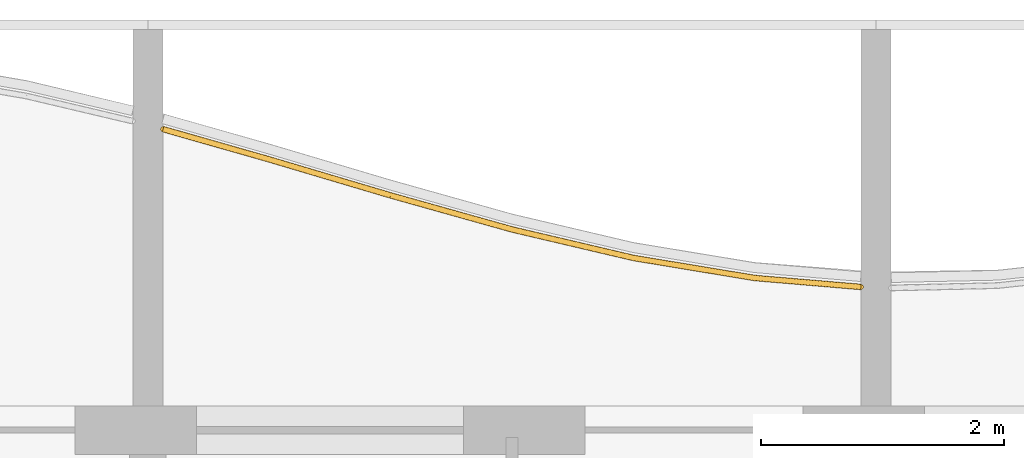
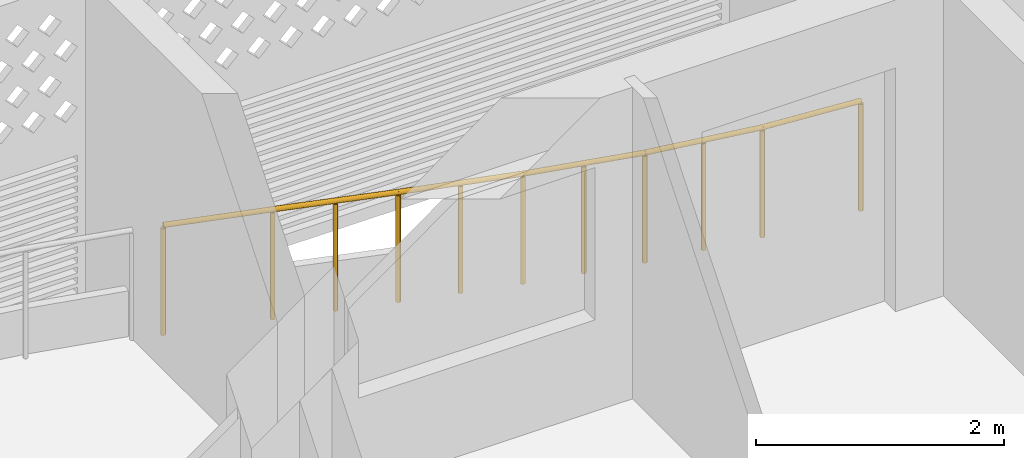
# One storey, part 19 of 32: 1 railing.
"""IFC4 building model written with IfcOpenShell, lengths in metres."""

from ifc_helpers import new_model, si_unit, direction, frame, origin, origin_2d, place, context, subcontext, project, spatial, circle, extrude, material, type_object, element, save


model = new_model("IFC4")

# Units and contexts
model_context = context("Model", 3, precision=1e-05, world=origin(), true_north=direction((0.0, 1.0)))
body_context = subcontext(model_context, "Body", "Model", "MODEL_VIEW")
ifc_project = project(units=[si_unit("LENGTHUNIT", "METRE"), si_unit("AREAUNIT", "SQUARE_METRE"), si_unit("VOLUMEUNIT", "CUBIC_METRE"), si_unit("PLANEANGLEUNIT", "RADIAN"), si_unit("MASSUNIT", "GRAM", prefix="KILO")], contexts=[model_context])

# Site, building, storey
site_placement = place(None, origin())
site = spatial("IfcSite", under=ifc_project, at=site_placement, CompositionType="ELEMENT")
building_placement = place(site_placement, origin())
building = spatial("IfcBuilding", under=site, at=building_placement, Name="Poui Terraces", CompositionType="ELEMENT")
storey_placement = place(building_placement, frame((0.0, 0.0, 125.699951171875)))
storey = spatial("IfcBuildingStorey", under=building, at=storey_placement, Name="L34", CompositionType="ELEMENT", Elevation=125.699951171875)

# Railing
ifc_material = material(Name="Painted steel fretwork", Category="steel")
railing_type = type_object("IfcRailingType", Name="BALCONY GUARD 1100", PredefinedType="GUARDRAIL", material=ifc_material)
railing_placement = place(storey_placement, frame((24.125, 44.88037109375, 0.0)))
element("IfcRailing", 1, at=railing_placement, inside=storey, type_object=railing_type, Name="BALCONY GUARD", PredefinedType="GUARDRAIL", context=body_context, shape_type="SweptSolid", body=[
    extrude(circle(Radius=0.02392578125, at=origin_2d()), frame((0.0, 0.0, 1.076171875), z_axis=(0.961736307653, -0.273976777376, 0.0), x_axis=(0.273976777376, 0.961736307653, 0.0)), (0.0, 0.0, 1.0), 0.909912109375),
    extrude(circle(Radius=0.02392578125, at=origin_2d()), frame((0.875, -0.249267578125, 1.076171875), z_axis=(0.958710700624, -0.284383179018, 0.0), x_axis=(0.284383179018, 0.958710700624, 0.0)), (0.0, 0.0, 1.0), 1.04296875),
    extrude(circle(Radius=0.02392578125, at=origin_2d()), frame((1.875, -0.5458984375, 1.076171875), z_axis=(0.962895626656, -0.269874067237, 0.0), x_axis=(0.269874067237, 0.962895626656, 0.0)), (0.0, 0.0, 1.0), 1.03857421875),
    extrude(circle(Radius=0.02392578125, at=origin_2d()), frame((2.875, -0.826171875, 1.076171875), z_axis=(0.973510598085, -0.228641893398, 0.0), x_axis=(0.228641893398, 0.973510598085, 0.0)), (0.0, 0.0, 1.0), 1.027099609375),
    extrude(circle(Radius=0.02392578125, at=origin_2d()), frame((3.875, -1.06103515625, 1.076171875), z_axis=(0.986614372238, -0.163070783693, 0.0), x_axis=(0.163070783693, 0.986614372238, 0.0)), (0.0, 0.0, 1.0), 1.013671875),
    extrude(circle(Radius=0.02392578125, at=origin_2d()), frame((4.875, -1.226318359375, 1.076171875), z_axis=(0.996445334102, -0.08424189069, 0.0), x_axis=(0.08424189069, 0.996445334102, 0.0)), (0.0, 0.0, 1.0), 0.878173828125),
    extrude(circle(Radius=0.02099609375, at=origin_2d()), origin(), (0.0, 0.0, 1.0), 1.052001953125),
    extrude(circle(Radius=0.02099609375, at=origin_2d()), frame((0.875, -0.249267578125, 0.0)), (0.0, 0.0, 1.0), 1.052001953125),
    extrude(circle(Radius=0.02099609375, at=origin_2d()), frame((1.375, -0.3974609375, 0.0)), (0.0, 0.0, 1.0), 1.052001953125),
    extrude(circle(Radius=0.02099609375, at=origin_2d()), frame((1.875, -0.5458984375, 0.0)), (0.0, 0.0, 1.0), 1.052001953125),
    extrude(circle(Radius=0.02099609375, at=origin_2d()), frame((2.375, -0.68603515625, 0.0)), (0.0, 0.0, 1.0), 1.052001953125),
    extrude(circle(Radius=0.02099609375, at=origin_2d()), frame((2.875, -0.826171875, 0.0)), (0.0, 0.0, 1.0), 1.052001953125),
    extrude(circle(Radius=0.02099609375, at=origin_2d()), frame((3.375, -0.943603515625, 0.0)), (0.0, 0.0, 1.0), 1.052001953125),
    extrude(circle(Radius=0.02099609375, at=origin_2d()), frame((3.875, -1.06103515625, 0.0)), (0.0, 0.0, 1.0), 1.052001953125),
    extrude(circle(Radius=0.02099609375, at=origin_2d()), frame((4.375, -1.1435546875, 0.0)), (0.0, 0.0, 1.0), 1.052001953125),
    extrude(circle(Radius=0.02099609375, at=origin_2d()), frame((4.875, -1.226318359375, 0.0)), (0.0, 0.0, 1.0), 1.052001953125),
    extrude(circle(Radius=0.02099609375, at=origin_2d()), frame((5.75, -1.30029296875, 0.0)), (0.0, 0.0, 1.0), 1.052001953125),
])

save(model, "model.ifc")
